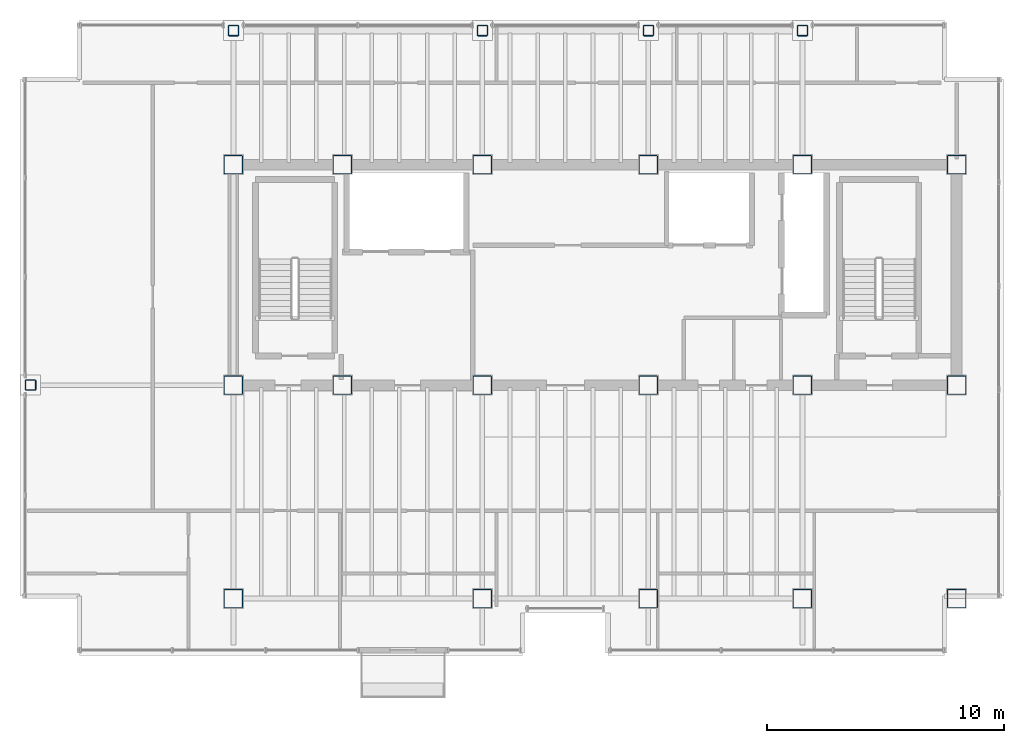
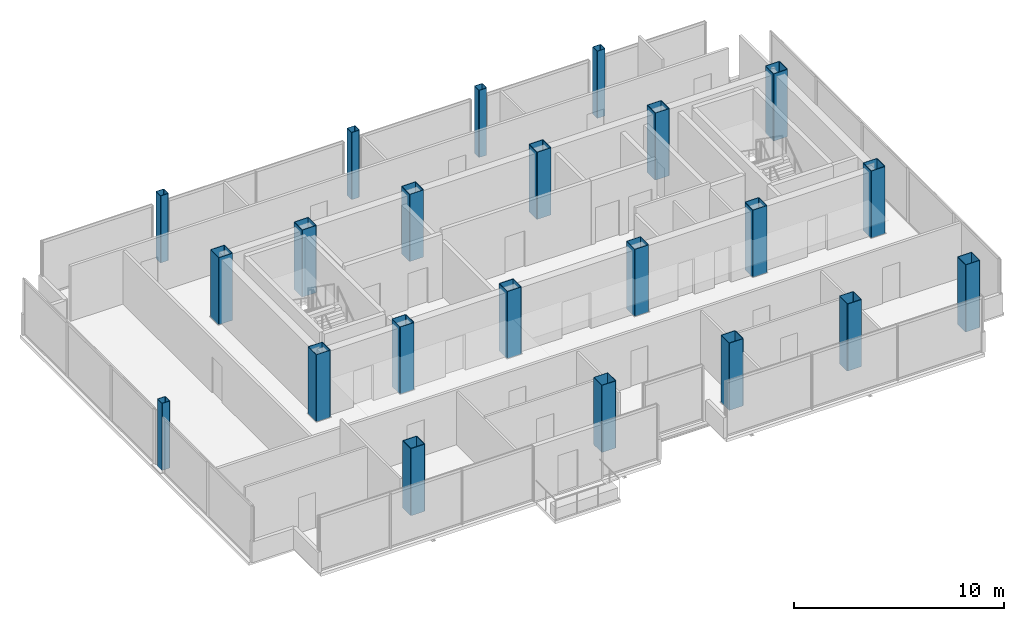
# One storey, part 1 of 16: 22 columns.
"""IFC4 building model written with IfcOpenShell, lengths in metres."""

from ifc_helpers import new_model, si_unit, direction, frame, origin, origin_2d, place, context, subcontext, project, spatial, hollow_rectangle, extrude, material, material_profile, profile_set, type_object, element, save


model = new_model("IFC4")

# Units and contexts
model_context = context("Model", 3, precision=1e-05, world=origin(), true_north=direction((0.0, 1.0)))
body_context = subcontext(model_context, "Body", "Model", "MODEL_VIEW")
ifc_project = project(units=[si_unit("LENGTHUNIT", "METRE"), si_unit("AREAUNIT", "SQUARE_METRE"), si_unit("VOLUMEUNIT", "CUBIC_METRE"), si_unit("PLANEANGLEUNIT", "RADIAN"), si_unit("MASSUNIT", "GRAM", prefix="KILO")], contexts=[model_context])

# Site, building, storey
site_placement = place(None, origin())
site = spatial("IfcSite", under=ifc_project, at=site_placement, CompositionType="ELEMENT")
building_placement = place(site_placement, origin())
building = spatial("IfcBuilding", under=site, at=building_placement, Name="Noeulbin Bourse Tower", CompositionType="ELEMENT")
storey_placement = place(building_placement, frame((0.0, 0.0, 269.60009765625)))
storey = spatial("IfcBuildingStorey", under=building, at=storey_placement, Name="L67", CompositionType="ELEMENT", Elevation=269.60009765625)

# Columns
ifc_material = material(Name="Steel S355", Category="steel")
ifc_material_profile_1 = material_profile(ifc_material, hollow_rectangle(XDim=0.449951171875, YDim=0.449951171875, WallThickness=0.02197265625, InnerFilletRadius=0.02197265625, OuterFilletRadius=0.0439453125, at=origin_2d()), Name="SHS-450x450x22", Category="LoadBearing")
ifc_profile_set_1 = profile_set([ifc_material_profile_1], Name="Steel S355")
column_type_1 = type_object("IfcColumnType", Name="COL-PER-Z3", PredefinedType="COLUMN", material=ifc_profile_set_1)
for number, where, z_axis, x_axis, name in (
    (1, (4.949951171875, 29.0, 0.0), (0.0, 0.0, 1.0), (1.0, 0.0, 0.0), "Tower Perimeter Column COL-PER-Z3 01"),
    (2, (13.5, 43.949951171875, 0.0), (0.0, 0.0, 1.0), (1.0, 0.0, 0.0), "Tower Perimeter Column COL-PER-Z3 02"),
    (3, (24.0, 43.949951171875, 0.0), (0.0, 0.0, 1.0), (1.0, 0.0, 0.0), "Tower Perimeter Column COL-PER-Z3 03"),
    (4, (31.0, 43.949951171875, 0.0), (0.0, 0.0, 1.0), (1.0, 0.0, 0.0), "Tower Perimeter Column COL-PER-Z3 04"),
    (5, (37.5, 43.949951171875, 0.0), (0.0, 0.0, 1.0), (1.0, 0.0, 0.0), "Tower Perimeter Column COL-PER-Z3 05"),
):
    element("IfcColumn", number, at=place(storey_placement, frame(where, z_axis=z_axis, x_axis=x_axis)), inside=storey, type_object=column_type_1, Name=name, PredefinedType="COLUMN", context=body_context, shape_type="SweptSolid", body=[
        extrude(hollow_rectangle(XDim=0.449951171875, YDim=0.449951171875, WallThickness=0.02197265625, InnerFilletRadius=0.02197265625, OuterFilletRadius=0.0439453125, at=origin_2d()), origin(), (0.0, 0.0, 1.0), 3.89990234375),
    ])
ifc_material_profile_2 = material_profile(ifc_material, hollow_rectangle(XDim=0.800048828125, YDim=0.800048828125, WallThickness=0.031982421875, InnerFilletRadius=0.01611328125, OuterFilletRadius=0.048095703125, at=origin_2d()), Name="BOX-800x800x32", Category="LoadBearing")
ifc_profile_set_2 = profile_set([ifc_material_profile_2], Name="Steel S355")
column_type_2 = type_object("IfcColumnType", Name="COL-TRK-Z3", PredefinedType="COLUMN", material=ifc_profile_set_2)
for number, where, z_axis, x_axis, name in (
    (6, (13.5, 29.0, 0.0), (0.0, 0.0, 1.0), (1.0, 0.0, 0.0), "Tower Trunk Mega-Column COL-TRK-Z3 01"),
    (7, (13.5, 38.300048828125, 0.0), (0.0, 0.0, 1.0), (1.0, 0.0, 0.0), "Tower Trunk Mega-Column COL-TRK-Z3 02"),
    (8, (18.10009765625, 29.0, 0.0), (0.0, 0.0, 1.0), (1.0, 0.0, 0.0), "Tower Trunk Mega-Column COL-TRK-Z3 03"),
    (9, (18.10009765625, 38.300048828125, 0.0), (0.0, 0.0, 1.0), (1.0, 0.0, 0.0), "Tower Trunk Mega-Column COL-TRK-Z3 04"),
    (10, (24.0, 29.0, 0.0), (0.0, 0.0, 1.0), (1.0, 0.0, 0.0), "Tower Trunk Mega-Column COL-TRK-Z3 05"),
    (11, (24.0, 38.300048828125, 0.0), (0.0, 0.0, 1.0), (1.0, 0.0, 0.0), "Tower Trunk Mega-Column COL-TRK-Z3 06"),
    (12, (31.0, 29.0, 0.0), (0.0, 0.0, 1.0), (1.0, 0.0, 0.0), "Tower Trunk Mega-Column COL-TRK-Z3 07"),
    (13, (31.0, 38.300048828125, 0.0), (0.0, 0.0, 1.0), (1.0, 0.0, 0.0), "Tower Trunk Mega-Column COL-TRK-Z3 08"),
    (14, (37.5, 29.0, 0.0), (0.0, 0.0, 1.0), (1.0, 0.0, 0.0), "Tower Trunk Mega-Column COL-TRK-Z3 09"),
    (15, (37.5, 38.300048828125, 0.0), (0.0, 0.0, 1.0), (1.0, 0.0, 0.0), "Tower Trunk Mega-Column COL-TRK-Z3 10"),
    (16, (44.0, 29.0, 0.0), (0.0, 0.0, 1.0), (1.0, 0.0, 0.0), "Tower Trunk Mega-Column COL-TRK-Z3 11"),
    (17, (44.0, 38.300048828125, 0.0), (0.0, 0.0, 1.0), (1.0, 0.0, 0.0), "Tower Trunk Mega-Column COL-TRK-Z3 12"),
    (18, (13.5, 20.0, 0.0), (0.0, 0.0, 1.0), (1.0, 0.0, 0.0), "Tower Trunk Mega-Column COL-TRK-Z3 13"),
    (19, (24.0, 20.0, 0.0), (0.0, 0.0, 1.0), (1.0, 0.0, 0.0), "Tower Trunk Mega-Column COL-TRK-Z3 14"),
    (20, (31.0, 20.0, 0.0), (0.0, 0.0, 1.0), (1.0, 0.0, 0.0), "Tower Trunk Mega-Column COL-TRK-Z3 15"),
    (21, (37.5, 20.0, 0.0), (0.0, 0.0, 1.0), (1.0, 0.0, 0.0), "Tower Trunk Mega-Column COL-TRK-Z3 16"),
    (22, (44.0, 20.0, 0.0), (0.0, 0.0, 1.0), (1.0, 0.0, 0.0), "Tower Trunk Mega-Column COL-TRK-Z3 17"),
):
    element("IfcColumn", number, at=place(storey_placement, frame(where, z_axis=z_axis, x_axis=x_axis)), inside=storey, type_object=column_type_2, Name=name, PredefinedType="COLUMN", context=body_context, shape_type="SweptSolid", body=[
        extrude(hollow_rectangle(XDim=0.800048828125, YDim=0.800048828125, WallThickness=0.031982421875, InnerFilletRadius=0.01611328125, OuterFilletRadius=0.048095703125, at=origin_2d()), origin(), (0.0, 0.0, 1.0), 3.89990234375),
    ])

save(model, "model.ifc")
